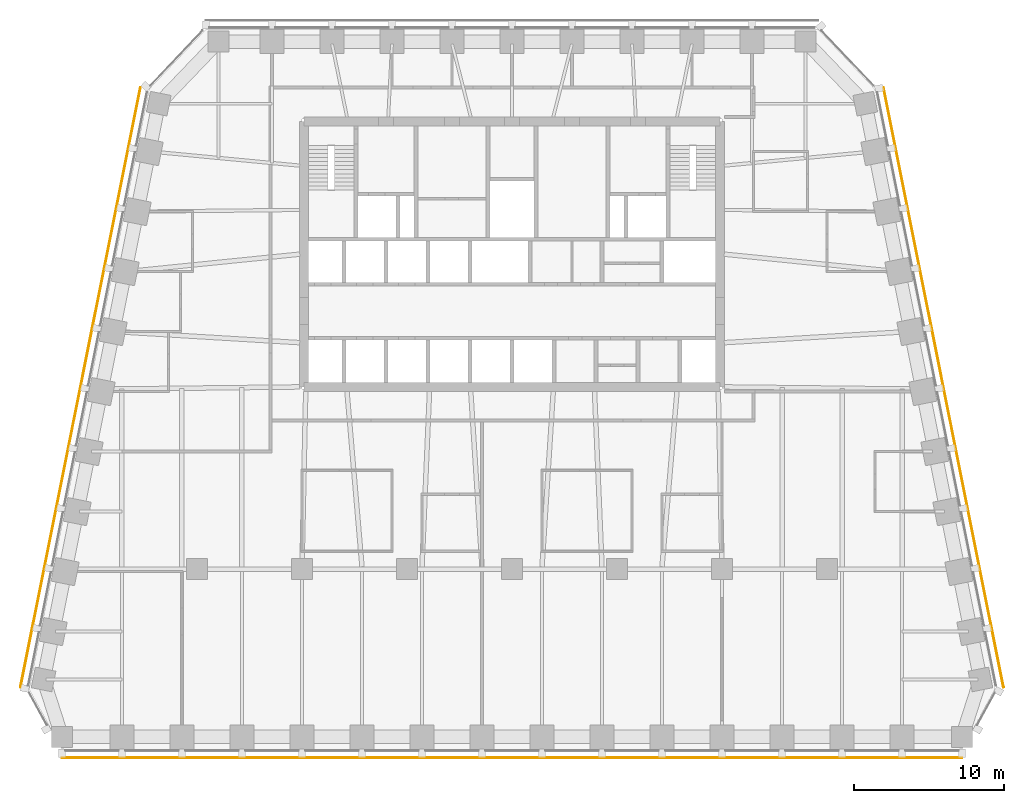
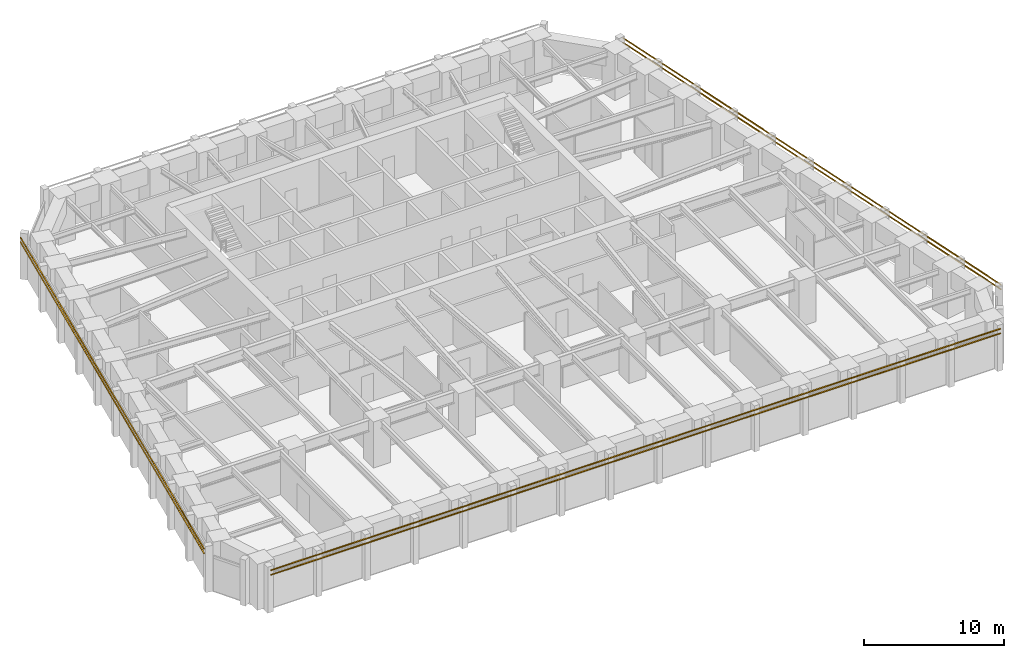
# One storey, part 9 of 10: 6 shading devices.
"""IFC4 building model written with IfcOpenShell, lengths in metres."""

from ifc_helpers import new_model, si_unit, direction, frame, origin, origin_2d, place, context, subcontext, project, spatial, rectangle, extrude, material, material_profile, profile_set, type_object, element, save


model = new_model("IFC4")

# Units and contexts
model_context = context("Model", 3, precision=1e-05, world=origin(), true_north=direction((0.0, 1.0)))
body_context = subcontext(model_context, "Body", "Model", "MODEL_VIEW")
ifc_project = project(units=[si_unit("LENGTHUNIT", "METRE"), si_unit("AREAUNIT", "SQUARE_METRE"), si_unit("VOLUMEUNIT", "CUBIC_METRE"), si_unit("PLANEANGLEUNIT", "RADIAN"), si_unit("MASSUNIT", "GRAM", prefix="KILO")], contexts=[model_context])

# Site, building, storey
site_placement = place(None, origin())
site = spatial("IfcSite", under=ifc_project, at=site_placement, CompositionType="ELEMENT")
building_placement = place(site_placement, origin())
building = spatial("IfcBuilding", under=site, at=building_placement, Name="Isbrekke Arena Tower", CompositionType="ELEMENT")
storey_placement = place(building_placement, frame((0.0, 0.0, 226.0)))
storey = spatial("IfcBuildingStorey", under=building, at=storey_placement, Name="L52", CompositionType="ELEMENT", Elevation=226.0)

# Shading devices
ifc_material = material(Name="Terracotta", Category="masonry")
ifc_material_profile = material_profile(ifc_material, rectangle(XDim=0.06005859375, YDim=0.06005859375, at=origin_2d()), Name="BAGUETTE 60X60")
ifc_profile_set = profile_set([ifc_material_profile], Name="Terracotta")
shading_device_type = type_object("IfcShadingDeviceType", Name="BG1 TERRACOTTA BAGUETTE 60 x 60", PredefinedType="USERDEFINED", material=ifc_profile_set)
for number, where, z_axis, x_axis, name in (
    (1, (-30.0, -18.580078125, 3.280029296875), (1.0, 0.0, 0.0), (0.0, 1.0, 0.0), "BG1 terracotta baguette S1 L52"),
    (2, (-30.0, -18.580078125, 3.679931640625), (1.0, 0.0, 0.0), (0.0, 1.0, 0.0), "BG1 terracotta baguette S2 L52"),
):
    element("IfcShadingDevice", number, at=place(storey_placement, frame(where, z_axis=z_axis, x_axis=x_axis)), inside=storey, type_object=shading_device_type, Name=name, ObjectType="TERRACOTTA BAGUETTE", PredefinedType="USERDEFINED", context=body_context, shape_type="SweptSolid", body=[
        extrude(rectangle(XDim=0.06005859375, YDim=0.06005859375, at=origin_2d()), origin(), (0.0, 0.0, 1.0), 60.0),
    ])
for number, where, z_axis, x_axis, name in (
    (3, (32.768798828125, -13.88623046875, 3.280029296875), (-0.196116135138, 0.980580675691, 0.0), (-0.980580675691, -0.196116135138, 0.0), "BG1 terracotta baguette E1 L52"),
    (4, (32.768798828125, -13.88623046875, 3.679931640625), (-0.196116135138, 0.980580675691, 0.0), (-0.980580675691, -0.196116135138, 0.0), "BG1 terracotta baguette E2 L52"),
    (5, (-24.768798828125, 26.11376953125, 3.280029296875), (-0.196116135138, -0.980580675691, 0.0), (0.980580675691, -0.196116135138, 0.0), "BG1 terracotta baguette W1 L52"),
    (6, (-24.768798828125, 26.11376953125, 3.679931640625), (-0.196116135138, -0.980580675691, 0.0), (0.980580675691, -0.196116135138, 0.0), "BG1 terracotta baguette W2 L52"),
):
    element("IfcShadingDevice", number, at=place(storey_placement, frame(where, z_axis=z_axis, x_axis=x_axis)), inside=storey, type_object=shading_device_type, Name=name, ObjectType="TERRACOTTA BAGUETTE", PredefinedType="USERDEFINED", context=body_context, shape_type="SweptSolid", body=[
        extrude(rectangle(XDim=0.06005859375, YDim=0.06005859375, at=origin_2d()), origin(), (0.0, 0.0, 1.0), 40.792236328125),
    ])

save(model, "model.ifc")
